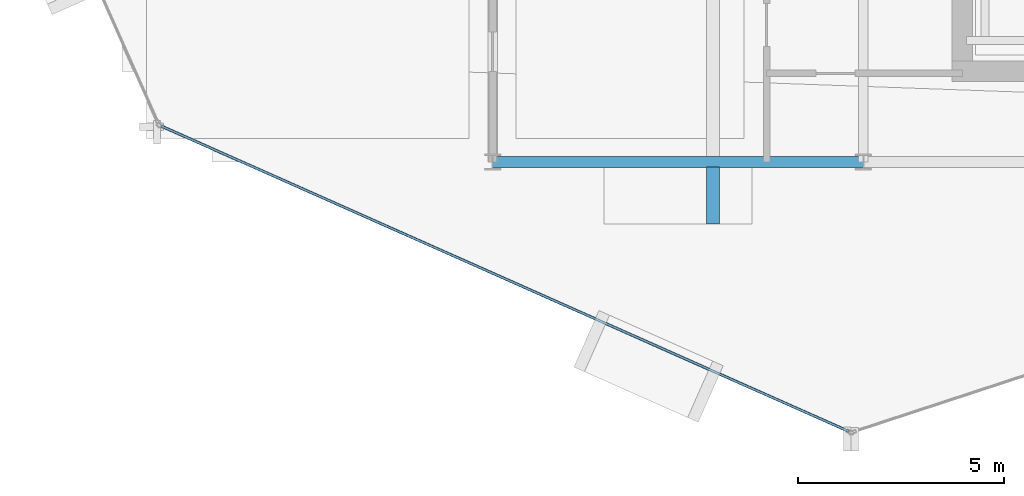
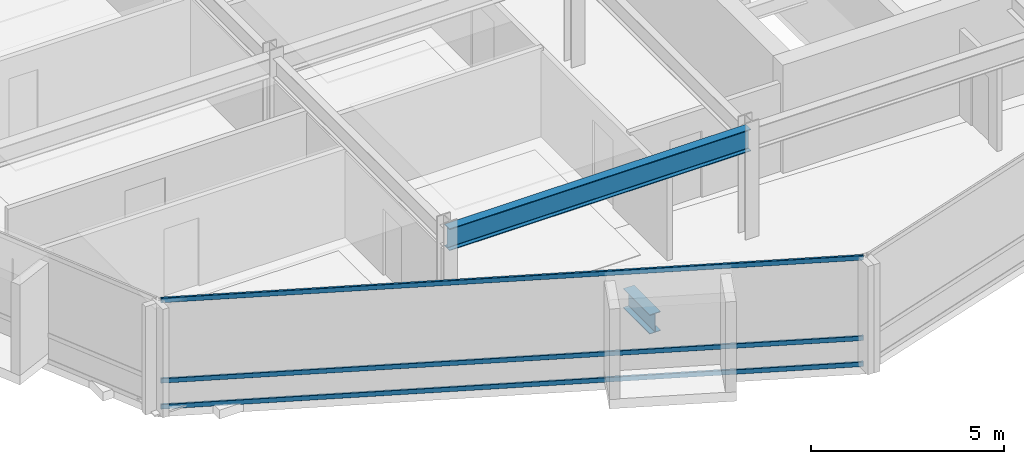
# One storey, part 3 of 28: 3 members, 2 beams, 1 element without a shape of its own.
"""IFC4 building model written with IfcOpenShell, lengths in metres."""

from ifc_helpers import new_model, si_unit, direction, frame, origin, origin_2d, place, context, subcontext, project, spatial, hollow_rectangle, i_section, extrude, material, layer, layer_set, material_profile, profile_set, type_object, element, aggregate, save


model = new_model("IFC4")

# Units and contexts
model_context = context("Model", 3, precision=1e-05, world=origin(), true_north=direction((0.0, 1.0)))
body_context = subcontext(model_context, "Body", "Model", "MODEL_VIEW")
ifc_project = project(units=[si_unit("LENGTHUNIT", "METRE"), si_unit("AREAUNIT", "SQUARE_METRE"), si_unit("VOLUMEUNIT", "CUBIC_METRE"), si_unit("PLANEANGLEUNIT", "RADIAN"), si_unit("MASSUNIT", "GRAM", prefix="KILO")], contexts=[model_context])

# Site, building, storey
site_placement = place(None, origin())
site = spatial("IfcSite", under=ifc_project, at=site_placement, CompositionType="ELEMENT")
building_placement = place(site_placement, origin())
building = spatial("IfcBuilding", under=site, at=building_placement, Name="Solvaryn Broadcast Tower", CompositionType="ELEMENT")
storey_placement = place(building_placement, frame((0.0, 0.0, 209.89990234375)))
storey = spatial("IfcBuildingStorey", under=building, at=storey_placement, Name="L52", CompositionType="ELEMENT", Elevation=209.89990234375)

# Beams
ifc_material_1 = material(Name="Steel ASTM A992 Grade 50", Category="steel")
ifc_material_profile_1 = material_profile(ifc_material_1, i_section(OverallWidth=0.323974609375, OverallDepth=0.611083984375, WebThickness=0.0126953125, FlangeThickness=0.01904296875, FilletRadius=0.014892578125, at=origin_2d()))
ifc_profile_set_1 = profile_set([ifc_material_profile_1], Name="Steel ASTM A992 Grade 50")
beam_type_1 = type_object("IfcBeamType", Name="BM-CANT-TER", PredefinedType="BEAM", material=ifc_profile_set_1)
beam_1_placement = place(storey_placement, frame((23.35009765625, 8.875, -0.58544921875), z_axis=(0.0, -1.0, 0.0), x_axis=(1.0, 0.0, 0.0)))
element("IfcBeam", 1, at=beam_1_placement, inside=storey, type_object=beam_type_1, Name="L52 Bay-Box Cantilever Bracket 1", PredefinedType="BEAM", context=body_context, shape_type="SweptSolid", body=[
    extrude(i_section(OverallWidth=0.323974609375, OverallDepth=0.611083984375, WebThickness=0.0126953125, FlangeThickness=0.01904296875, FilletRadius=0.014892578125, at=origin_2d()), origin(), (0.0, 0.0, 1.0), 1.375),
])
ifc_material_2 = material(Name="Steel ASTM A992 Grade 50", Category="steel")
ifc_material_profile_2 = material_profile(ifc_material_2, i_section(OverallWidth=0.256103515625, OverallDepth=0.693115234375, WebThickness=0.014404296875, FlangeThickness=0.023681640625, FilletRadius=0.01611328125, at=origin_2d()))
ifc_profile_set_2 = profile_set([ifc_material_profile_2], Name="Steel ASTM A992 Grade 50")
beam_type_2 = type_object("IfcBeamType", Name="BM-SP3-W27X114", PredefinedType="USERDEFINED", material=ifc_profile_set_2)
beam_2_placement = place(storey_placement, frame((18.0, 9.0, 3.073486328125), z_axis=(1.0, 0.0, 0.0), x_axis=(0.0, 1.0, 0.0)))
element("IfcBeam", 2, at=beam_2_placement, inside=storey, type_object=beam_type_2, Name="L52 Spandrel Beam X (18-27 @ Y=9)", ObjectType="SPANDREL", PredefinedType="USERDEFINED", context=body_context, shape_type="SweptSolid", body=[
    extrude(i_section(OverallWidth=0.256103515625, OverallDepth=0.693115234375, WebThickness=0.014404296875, FlangeThickness=0.023681640625, FilletRadius=0.01611328125, at=origin_2d()), origin(), (0.0, 0.0, 1.0), 9.0),
])

# Curtain wall, members
ifc_material_3 = material(Name="Aluminium and Terracotta Unitised Curtain Wall", Category="masonry")
ifc_layer = layer(ifc_material_3, 0.199951171875)
ifc_layer_set = layer_set([ifc_layer], Name="CW-SYS2-LOWMID")
curtain_wall_type = type_object("IfcCurtainWallType", Name="CW-SYS2-LOWMID", PredefinedType="NOTDEFINED", material=ifc_layer_set)
curtain_wall_placement = place(storey_placement, origin())
curtain_wall = element("IfcCurtainWall", 3, at=curtain_wall_placement, inside=storey, type_object=curtain_wall_type, Name="L52 Curtain Wall DR3", PredefinedType="NOTDEFINED")
ifc_material_4 = material(Name="Anodised Aluminium 6063-T6", Category="aluminium")
ifc_material_profile_3 = material_profile(ifc_material_4, hollow_rectangle(XDim=0.06494140625, YDim=0.14990234375, WallThickness=0.00390625, InnerFilletRadius=0.00390625, OuterFilletRadius=0.008056640625, at=origin_2d()))
ifc_profile_set_3 = profile_set([ifc_material_profile_3], Name="Anodised Aluminium 6063-T6")
member_type = type_object("IfcMemberType", Name="CW-TRN-150", PredefinedType="USERDEFINED", material=ifc_profile_set_3)
member_1_placement = place(storey_placement, frame((9.952880859375, 9.87353515625, 0.030029296875), z_axis=(0.913916761992, -0.405901653299, 0.0), x_axis=(0.405901653299, 0.913916761992, 0.0)))
member_1 = element("IfcMember", 4, at=member_1_placement, type_object=member_type, Name="CWS2 transom 1.1", ObjectType="TRANSOM", PredefinedType="USERDEFINED", context=body_context, shape_type="SweptSolid", body=[
    extrude(hollow_rectangle(XDim=0.06494140625, YDim=0.14990234375, WallThickness=0.00390625, InnerFilletRadius=0.00390625, OuterFilletRadius=0.008056640625, at=origin_2d()), origin(), (0.0, 0.0, 1.0), 18.27099609375),
])
member_2_placement = place(storey_placement, frame((9.952880859375, 9.87353515625, 0.85009765625), z_axis=(0.913916761992, -0.405901653299, 0.0), x_axis=(0.405901653299, 0.913916761992, 0.0)))
member_2 = element("IfcMember", 5, at=member_2_placement, type_object=member_type, Name="CWS2 transom 1.2", ObjectType="TRANSOM", PredefinedType="USERDEFINED", context=body_context, shape_type="SweptSolid", body=[
    extrude(hollow_rectangle(XDim=0.06494140625, YDim=0.14990234375, WallThickness=0.00390625, InnerFilletRadius=0.00390625, OuterFilletRadius=0.008056640625, at=origin_2d()), origin(), (0.0, 0.0, 1.0), 18.27099609375),
])
member_3_placement = place(storey_placement, frame((9.952880859375, 9.87353515625, 3.39013671875), z_axis=(0.913916761992, -0.405901653299, 0.0), x_axis=(0.405901653299, 0.913916761992, 0.0)))
member_3 = element("IfcMember", 6, at=member_3_placement, type_object=member_type, Name="CWS2 transom 1.3", ObjectType="TRANSOM", PredefinedType="USERDEFINED", context=body_context, shape_type="SweptSolid", body=[
    extrude(hollow_rectangle(XDim=0.06494140625, YDim=0.14990234375, WallThickness=0.00390625, InnerFilletRadius=0.00390625, OuterFilletRadius=0.008056640625, at=origin_2d()), origin(), (0.0, 0.0, 1.0), 18.27099609375),
])
aggregate(curtain_wall, [member_1, member_2, member_3])

save(model, "model.ifc")
